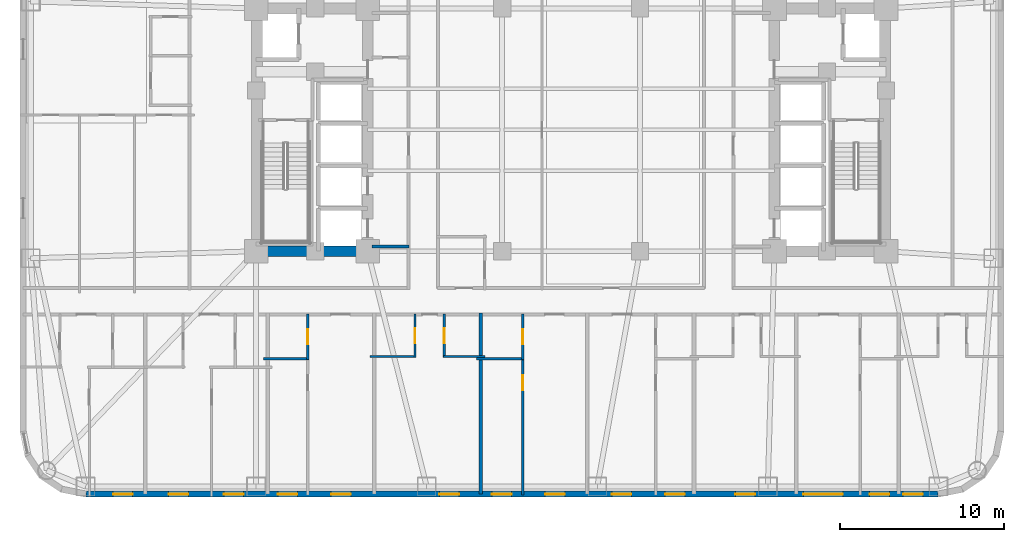
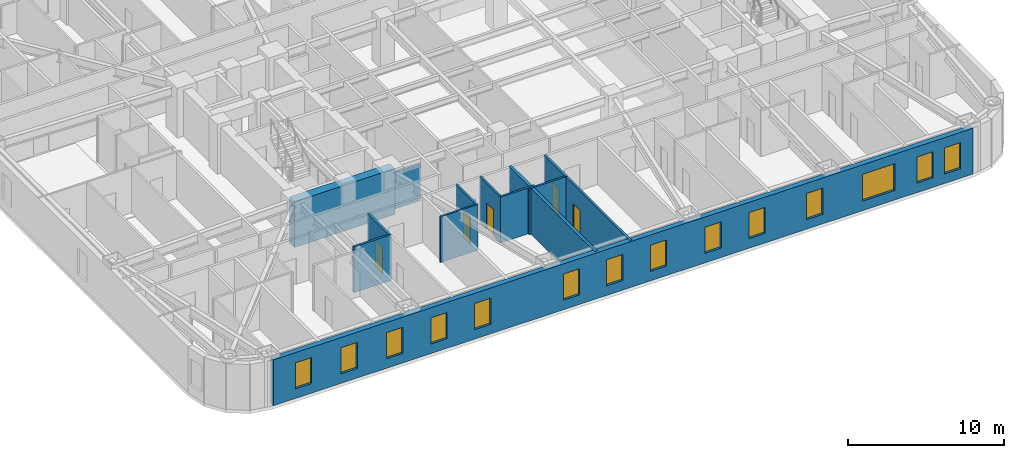
# One storey, part 3 of 11: 14 windows, 13 walls, 5 doors, 19 openings.
"""IFC4 building model written with IfcOpenShell, lengths in metres."""

import ifcopenshell
import ifcopenshell.guid

model = None  # the IFC model being written
_history = None  # IfcOwnerHistory: only IFC2X3 demands one
_inside = {}  # id of a spatial element -> (the spatial element, [elements in it])
_under = {}  # id of a project, library or spatial element -> (it, [spatial elements below it])
_declared = {}  # id of a project -> (the project, [libraries it declares])
_typed = {}  # id of a type object -> (the type object, [elements of that type])
_made_of = {}  # id of a material, layer set ... -> (it, [elements and type objects made of it])


def new_model(schema):
    """Start an empty IFC model of exactly this schema.

    Asked for "IFC4X3", IfcOpenShell would pick the latest addendum, in which some entities
    have other attributes; the version numbers below select the first issue.
    IFC2X3 requires an IfcOwnerHistory on every rooted entity: one is made here for all.
    """
    global model, _history
    if schema == "IFC4X3":
        model = ifcopenshell.file(schema_version=(4, 3, 0, 0))
    else:
        model = ifcopenshell.file(schema=schema)
    _inside.clear()
    _under.clear()
    _declared.clear()
    _typed.clear()
    _made_of.clear()
    _history = None
    if model.schema == "IFC2X3":
        org = make("IfcOrganization", Name="unknown")
        user = make(
            "IfcPersonAndOrganization",
            ThePerson=make("IfcPerson", FamilyName="unknown"),
            TheOrganization=org,
        )
        app = make(
            "IfcApplication",
            ApplicationDeveloper=org,
            Version="unknown",
            ApplicationFullName="unknown",
            ApplicationIdentifier="unknown",
        )
        _history = make(
            "IfcOwnerHistory",
            OwningUser=user,
            OwningApplication=app,
            ChangeAction="ADDED",
            CreationDate=0,
        )
    return model


def make(cls, **values):
    """One entity of the class cls with the attributes given. An attribute that is None is left unset."""
    return model.create_entity(
        cls, **{name: value for name, value in values.items() if value is not None}
    )


def rooted(cls, **values):
    """An entity with a GlobalId (a new one), such as an element, a storey or a relation."""
    return make(cls, GlobalId=ifcopenshell.guid.new(), OwnerHistory=_history, **values)


def si_unit(unit_type, name, prefix=None):
    """IfcSIUnit, for example si_unit("LENGTHUNIT", "METRE", prefix="MILLI")."""
    return make("IfcSIUnit", UnitType=unit_type, Prefix=prefix, Name=name)


def assignment(units):
    """IfcUnitAssignment: the units of a project."""
    return None if units is None else make("IfcUnitAssignment", Units=units)


def point(xyz):
    """IfcCartesianPoint."""
    return None if xyz is None else make("IfcCartesianPoint", Coordinates=xyz)


def direction(xyz):
    """IfcDirection."""
    return None if xyz is None else make("IfcDirection", DirectionRatios=xyz)


def frame(location, z_axis=None, x_axis=None):
    """IfcAxis2Placement3D, a coordinate frame: its origin and axes. An axis left out is left unset."""
    return make(
        "IfcAxis2Placement3D",
        Location=point(location),
        Axis=direction(z_axis),
        RefDirection=direction(x_axis),
    )


def frame_2d(location, x_axis=None):
    """IfcAxis2Placement2D, a coordinate frame in the plane: its origin and x axis."""
    return make(
        "IfcAxis2Placement2D", Location=point(location), RefDirection=direction(x_axis)
    )


def origin():
    """The frame at (0, 0, 0) with its axes left unset."""
    return frame((0.0, 0.0, 0.0))


def place(relative_to, where):
    """IfcLocalPlacement: puts the frame where relative to a parent placement (None: the world)."""
    return make(
        "IfcLocalPlacement", PlacementRelTo=relative_to, RelativePlacement=where
    )


def context(
    kind, dimensions, precision=None, world=None, true_north=None, identifier=None
):
    """IfcGeometricRepresentationContext, for example the 3D "Model" context."""
    return make(
        "IfcGeometricRepresentationContext",
        ContextIdentifier=identifier,
        ContextType=kind,
        CoordinateSpaceDimension=dimensions,
        Precision=precision,
        WorldCoordinateSystem=world,
        TrueNorth=true_north,
    )


def subcontext(parent, identifier, kind, view, scale=None):
    """IfcGeometricRepresentationSubContext, for example "Body" below "Model"."""
    return make(
        "IfcGeometricRepresentationSubContext",
        ContextIdentifier=identifier,
        ContextType=kind,
        ParentContext=parent,
        TargetScale=scale,
        TargetView=view,
    )


def project(units=None, contexts=None):
    """IfcProject with its units and contexts."""
    return rooted(
        "IfcProject",
        Name="project",
        RepresentationContexts=contexts,
        UnitsInContext=assignment(units),
    )


def spatial(cls, under=None, at=None, **own):
    """A site, building, storey or space (cls), placed at a placement, below another one or the project."""
    s = rooted(cls, ObjectPlacement=at, **own)
    if under is not None:
        _under.setdefault(under.id(), (under, []))[1].append(s)
    return s


def profile(cls, at=None, kind="AREA", **sizes):
    """A parametric profile (cls). Its sizes go by their IFC names, for example OverallWidth=200.0."""
    return make(cls, ProfileType=kind, Position=at, **sizes)


def rectangle(**sizes):
    """IfcRectangleProfileDef."""
    return profile("IfcRectangleProfileDef", **sizes)


def extrude(swept, where, along, depth):
    """IfcExtrudedAreaSolid: the profile swept, set in the frame where, extruded along a direction by depth."""
    return make(
        "IfcExtrudedAreaSolid",
        SweptArea=swept,
        Position=where,
        ExtrudedDirection=direction(along),
        Depth=depth,
    )


def shape(context_of_items, identifier, shape_type, items):
    """IfcShapeRepresentation: the items that make up one representation, for example the "Body"."""
    return make(
        "IfcShapeRepresentation",
        ContextOfItems=context_of_items,
        RepresentationIdentifier=identifier,
        RepresentationType=shape_type,
        Items=items,
    )


def material(Name=None, Category=None):
    """IfcMaterial."""
    return make("IfcMaterial", Name=Name, Category=Category)


def layer(
    of_material, thickness, ventilated=None, Name=None, Category=None, Priority=None
):
    """IfcMaterialLayer: one layer of a wall or slab, of a material (None: an air gap)."""
    return make(
        "IfcMaterialLayer",
        Material=of_material,
        LayerThickness=thickness,
        IsVentilated=ventilated,
        Name=Name,
        Category=Category,
        Priority=Priority,
    )


def layer_set(layers, Name=None):
    """IfcMaterialLayerSet."""
    return make("IfcMaterialLayerSet", MaterialLayers=layers, LayerSetName=Name)


def made_of(thing, what):
    """Note that an element or type object is made of a material, layer set ...; save() writes the relation."""
    if what is not None:
        _made_of.setdefault(what.id(), (what, []))[1].append(thing)
    return thing


def type_object(cls, material=None, **own):
    """A type object (cls), such as IfcWallType, which elements share."""
    return made_of(rooted(cls, **own), material)


def element(
    cls,
    number,
    at=None,
    inside=None,
    cuts=None,
    type_object=None,
    material=None,
    context=None,
    identifier="Body",
    shape_type=None,
    held_by="IfcProductDefinitionShape",
    body=None,
    shapes=None,
    **own,
):
    """One element of the class cls, such as IfcWall. Its Tag is "e" and its number.

    at: its placement. inside: the storey or other place that contains it. cuts: it is an
    opening in that element (IfcRelVoidsElement). A single representation is given by context,
    identifier, shape_type and body (its items); several are given by shapes. held_by: the class
    of the entity that holds the representations. save() writes the other relations.
    """
    e = rooted(cls, Tag="e%d" % number, ObjectPlacement=at, **own)
    if body is not None:
        shapes = [shape(context, identifier, shape_type, body)]
    if shapes is not None:
        e.Representation = make(held_by, Representations=shapes)
    if inside is not None:
        _inside.setdefault(inside.id(), (inside, []))[1].append(e)
    if cuts is not None:
        rooted(
            "IfcRelVoidsElement", RelatingBuildingElement=cuts, RelatedOpeningElement=e
        )
    if type_object is not None:
        _typed.setdefault(type_object.id(), (type_object, []))[1].append(e)
    return made_of(e, material)


def fill(opening, filler):
    """IfcRelFillsElement: the door or window that sits in an opening."""
    return rooted(
        "IfcRelFillsElement",
        RelatingOpeningElement=opening,
        RelatedBuildingElement=filler,
    )


def aggregate(whole, parts):
    """IfcRelAggregates: a whole, such as a stair, and the parts it consists of."""
    return rooted("IfcRelAggregates", RelatingObject=whole, RelatedObjects=parts)


def save(model, path):
    """Write the relations noted so far, then the file.

    IfcRelAggregates (storeys below a building ...), IfcRelContainedInSpatialStructure (elements
    in a storey), IfcRelDefinesByType, IfcRelAssociatesMaterial and IfcRelDeclares: one each for
    every whole, place, type object, material and project.
    """
    for whole, parts in _under.values():
        aggregate(whole, parts)
    for where, things in _inside.values():
        rooted(
            "IfcRelContainedInSpatialStructure",
            RelatedElements=things,
            RelatingStructure=where,
        )
    for kind, things in _typed.values():
        rooted("IfcRelDefinesByType", RelatedObjects=things, RelatingType=kind)
    for what, things in _made_of.values():
        rooted("IfcRelAssociatesMaterial", RelatedObjects=things, RelatingMaterial=what)
    for by, libraries in _declared.values():
        rooted("IfcRelDeclares", RelatingContext=by, RelatedDefinitions=libraries)
    model.write(path)


model = new_model("IFC4")

# Units and contexts
model_context = context("Model", 3, precision=1e-05, world=origin(), true_north=direction((0.0, 1.0)))
body_context = subcontext(model_context, "Body", "Model", "MODEL_VIEW")
ifc_project = project(units=[si_unit("LENGTHUNIT", "METRE"), si_unit("AREAUNIT", "SQUARE_METRE"), si_unit("VOLUMEUNIT", "CUBIC_METRE"), si_unit("PLANEANGLEUNIT", "RADIAN"), si_unit("MASSUNIT", "GRAM", prefix="KILO")], contexts=[model_context])

# Site, building, storey
site_placement = place(None, origin())
site = spatial("IfcSite", under=ifc_project, at=site_placement, CompositionType="ELEMENT")
building_placement = place(site_placement, origin())
building = spatial("IfcBuilding", under=site, at=building_placement, Name="Voryun Gate Residences", CompositionType="ELEMENT")
storey_placement = place(building_placement, frame((0.0, 0.0, 76.699951171875)))
storey = spatial("IfcBuildingStorey", under=building, at=storey_placement, Name="L18", CompositionType="ELEMENT", Elevation=76.699951171875)

# Walls
ifc_material_1 = material(Name="Concrete C60/75", Category="concrete")
ifc_layer_1 = layer(ifc_material_1, 0.64990234375, Name="CW_CORE_650")
ifc_layer_set_1 = layer_set([ifc_layer_1], Name="Concrete C60/75")
wall_type_1 = type_object("IfcWallType", Name="CW_CORE_650", PredefinedType="SHEAR", material=ifc_layer_set_1)
wall_1_placement = place(storey_placement, frame((-19.52490234375, -7.39990234375, 0.0), z_axis=(0.0, 0.0, 1.0), x_axis=(1.0, 0.0, 0.0)))
element("IfcWall", 1, at=wall_1_placement, inside=storey, type_object=wall_type_1, Name="L18 Core shear wall CW-L18-WS", PredefinedType="SHEAR", context=body_context, shape_type="SweptSolid", body=[
    extrude(rectangle(XDim=7.449951171875, YDim=0.64990234375, at=frame_2d((3.72509765625, 0.0))), origin(), (0.0, 0.0, 1.0), 3.60009765625),
])
ifc_material_2 = material(Name="Gypsum acoustic fireboard")
ifc_layer_2 = layer(ifc_material_2, 0.179931640625, Name="W_CORR_RATED_180")
ifc_layer_set_2 = layer_set([ifc_layer_2], Name="Gypsum acoustic fireboard")
wall_type_2 = type_object("IfcWallType", Name="W_CORR_RATED_180", PredefinedType="PARTITIONING", material=ifc_layer_set_2)
wall_2_placement = place(storey_placement, frame((-12.14990234375, -7.1201171875, 0.0), z_axis=(0.0, 0.0, 1.0), x_axis=(1.0, 0.0, 0.0)))
element("IfcWall", 2, at=wall_2_placement, inside=storey, type_object=wall_type_2, Name="Partition wall WP-L18-PLBS-W", PredefinedType="PARTITIONING", context=body_context, shape_type="SweptSolid", body=[
    extrude(rectangle(XDim=2.27001953125, YDim=0.179931640625, at=frame_2d((1.135009765625, 0.0))), origin(), (0.0, 0.0, 1.0), 2.89013671875),
])

# Wall, openings, windows
ifc_material_3 = material(Name="Granite masonry", Category="masonry")
ifc_layer_3 = layer(ifc_material_3, 0.3798828125, Name="W_EXT_GRANITE_380")
ifc_layer_set_3 = layer_set([ifc_layer_3], Name="Granite masonry")
wall_type_3 = type_object("IfcWallType", Name="W_EXT_GRANITE_380", PredefinedType="ELEMENTEDWALL", material=ifc_layer_set_3)
wall_3_placement = place(storey_placement, frame((22.38134765625, -22.2099609375, 0.0), z_axis=(0.0, 0.0, 1.0), x_axis=(-1.0, 0.0, 0.0)))
wall_3 = element("IfcWall", 3, at=wall_3_placement, inside=storey, type_object=wall_type_3, Name="Exterior wall WEXT-L18-01", PredefinedType="ELEMENTEDWALL", context=body_context, shape_type="SweptSolid", body=[
    extrude(rectangle(XDim=51.962646484375, YDim=0.3798828125, at=frame_2d((25.9814453125, 0.0))), origin(), (0.0, 0.0, 1.0), 3.60009765625),
])
opening_1_placement = place(wall_3_placement, frame((5.810302734375, 0.0, 0.75)))
opening_1 = element("IfcOpeningElement", 4, at=opening_1_placement, cuts=wall_3, Name="Opening WN2", PredefinedType="OPENING", context=body_context, shape_type="SweptSolid", body=[
    extrude(rectangle(XDim=2.39990234375, YDim=2.10009765625, at=frame_2d((1.199951171875, 1.050048828125))), frame((0.0, 0.199951171875, 0.0), z_axis=(0.0, -1.0, 0.0), x_axis=(1.0, 0.0, 0.0)), (0.0, 0.0, 1.0), 0.39990234375),
])
opening_2_placement = place(wall_3_placement, frame((49.1064453125, 0.0, 0.75)))
opening_2 = element("IfcOpeningElement", 5, at=opening_2_placement, cuts=wall_3, Name="Opening WN6", PredefinedType="OPENING", context=body_context, shape_type="SweptSolid", body=[
    extrude(rectangle(XDim=1.199951171875, YDim=2.050048828125, at=frame_2d((0.60009765625, 1.02490234375))), frame((0.0, 0.199951171875, 0.0), z_axis=(0.0, -1.0, 0.0), x_axis=(1.0, 0.0, 0.0)), (0.0, 0.0, 1.0), 0.39990234375),
])
opening_3_placement = place(wall_3_placement, frame((45.7158203125, 0.0, 0.75)))
opening_3 = element("IfcOpeningElement", 6, at=opening_3_placement, cuts=wall_3, Name="Opening WN6", PredefinedType="OPENING", context=body_context, shape_type="SweptSolid", body=[
    extrude(rectangle(XDim=1.199951171875, YDim=2.050048828125, at=frame_2d((0.60009765625, 1.02490234375))), frame((0.0, 0.199951171875, 0.0), z_axis=(0.0, -1.0, 0.0), x_axis=(1.0, 0.0, 0.0)), (0.0, 0.0, 1.0), 0.39990234375),
])
opening_4_placement = place(wall_3_placement, frame((42.34619140625, 0.0, 0.75)))
opening_4 = element("IfcOpeningElement", 7, at=opening_4_placement, cuts=wall_3, Name="Opening WN6", PredefinedType="OPENING", context=body_context, shape_type="SweptSolid", body=[
    extrude(rectangle(XDim=1.199951171875, YDim=2.050048828125, at=frame_2d((0.60009765625, 1.02490234375))), frame((0.0, 0.199951171875, 0.0), z_axis=(0.0, -1.0, 0.0), x_axis=(1.0, 0.0, 0.0)), (0.0, 0.0, 1.0), 0.39990234375),
])
opening_5_placement = place(wall_3_placement, frame((35.811279296875, 0.0, 0.75)))
opening_5 = element("IfcOpeningElement", 8, at=opening_5_placement, cuts=wall_3, Name="Opening WN6", PredefinedType="OPENING", context=body_context, shape_type="SweptSolid", body=[
    extrude(rectangle(XDim=1.199951171875, YDim=2.050048828125, at=frame_2d((0.60009765625, 1.02490234375))), frame((0.0, 0.199951171875, 0.0), z_axis=(0.0, -1.0, 0.0), x_axis=(1.0, 0.0, 0.0)), (0.0, 0.0, 1.0), 0.39990234375),
])
opening_6_placement = place(wall_3_placement, frame((39.061279296875, 0.0, 0.75)))
opening_6 = element("IfcOpeningElement", 9, at=opening_6_placement, cuts=wall_3, Name="Opening WN6", PredefinedType="OPENING", context=body_context, shape_type="SweptSolid", body=[
    extrude(rectangle(XDim=1.199951171875, YDim=2.050048828125, at=frame_2d((0.60009765625, 1.02490234375))), frame((0.0, 0.199951171875, 0.0), z_axis=(0.0, -1.0, 0.0), x_axis=(1.0, 0.0, 0.0)), (0.0, 0.0, 1.0), 0.39990234375),
])
opening_7_placement = place(wall_3_placement, frame((29.211181640625, 0.0, 0.75)))
opening_7 = element("IfcOpeningElement", 10, at=opening_7_placement, cuts=wall_3, Name="Opening WN6", PredefinedType="OPENING", context=body_context, shape_type="SweptSolid", body=[
    extrude(rectangle(XDim=1.199951171875, YDim=2.050048828125, at=frame_2d((0.60009765625, 1.02490234375))), frame((0.0, 0.199951171875, 0.0), z_axis=(0.0, -1.0, 0.0), x_axis=(1.0, 0.0, 0.0)), (0.0, 0.0, 1.0), 0.39990234375),
])
opening_8_placement = place(wall_3_placement, frame((22.75732421875, 0.0, 0.75)))
opening_8 = element("IfcOpeningElement", 11, at=opening_8_placement, cuts=wall_3, Name="Opening WN6", PredefinedType="OPENING", context=body_context, shape_type="SweptSolid", body=[
    extrude(rectangle(XDim=1.199951171875, YDim=2.050048828125, at=frame_2d((0.60009765625, 1.02490234375))), frame((0.0, 0.199951171875, 0.0), z_axis=(0.0, -1.0, 0.0), x_axis=(1.0, 0.0, 0.0)), (0.0, 0.0, 1.0), 0.39990234375),
])
opening_9_placement = place(wall_3_placement, frame((26.00732421875, 0.0, 0.75)))
opening_9 = element("IfcOpeningElement", 12, at=opening_9_placement, cuts=wall_3, Name="Opening WN6", PredefinedType="OPENING", context=body_context, shape_type="SweptSolid", body=[
    extrude(rectangle(XDim=1.199951171875, YDim=2.050048828125, at=frame_2d((0.60009765625, 1.02490234375))), frame((0.0, 0.199951171875, 0.0), z_axis=(0.0, -1.0, 0.0), x_axis=(1.0, 0.0, 0.0)), (0.0, 0.0, 1.0), 0.39990234375),
])
opening_10_placement = place(wall_3_placement, frame((18.69677734375, 0.0, 0.75)))
opening_10 = element("IfcOpeningElement", 13, at=opening_10_placement, cuts=wall_3, Name="Opening WN6", PredefinedType="OPENING", context=body_context, shape_type="SweptSolid", body=[
    extrude(rectangle(XDim=1.199951171875, YDim=2.050048828125, at=frame_2d((0.60009765625, 1.02490234375))), frame((0.0, 0.199951171875, 0.0), z_axis=(0.0, -1.0, 0.0), x_axis=(1.0, 0.0, 0.0)), (0.0, 0.0, 1.0), 0.39990234375),
])
opening_11_placement = place(wall_3_placement, frame((15.44677734375, 0.0, 0.75)))
opening_11 = element("IfcOpeningElement", 14, at=opening_11_placement, cuts=wall_3, Name="Opening WN6", PredefinedType="OPENING", context=body_context, shape_type="SweptSolid", body=[
    extrude(rectangle(XDim=1.199951171875, YDim=2.050048828125, at=frame_2d((0.60009765625, 1.02490234375))), frame((0.0, 0.199951171875, 0.0), z_axis=(0.0, -1.0, 0.0), x_axis=(1.0, 0.0, 0.0)), (0.0, 0.0, 1.0), 0.39990234375),
])
opening_12_placement = place(wall_3_placement, frame((11.161865234375, 0.0, 0.75)))
opening_12 = element("IfcOpeningElement", 15, at=opening_12_placement, cuts=wall_3, Name="Opening WN6", PredefinedType="OPENING", context=body_context, shape_type="SweptSolid", body=[
    extrude(rectangle(XDim=1.199951171875, YDim=2.050048828125, at=frame_2d((0.60009765625, 1.02490234375))), frame((0.0, 0.199951171875, 0.0), z_axis=(0.0, -1.0, 0.0), x_axis=(1.0, 0.0, 0.0)), (0.0, 0.0, 1.0), 0.39990234375),
])
opening_13_placement = place(wall_3_placement, frame((2.974365234375, 0.0, 0.75)))
opening_13 = element("IfcOpeningElement", 16, at=opening_13_placement, cuts=wall_3, Name="Opening WN6", PredefinedType="OPENING", context=body_context, shape_type="SweptSolid", body=[
    extrude(rectangle(XDim=1.199951171875, YDim=2.050048828125, at=frame_2d((0.60009765625, 1.02490234375))), frame((0.0, 0.199951171875, 0.0), z_axis=(0.0, -1.0, 0.0), x_axis=(1.0, 0.0, 0.0)), (0.0, 0.0, 1.0), 0.39990234375),
])
opening_14_placement = place(wall_3_placement, frame((0.926513671875, 0.0, 0.75)))
opening_14 = element("IfcOpeningElement", 17, at=opening_14_placement, cuts=wall_3, Name="Opening WN6", PredefinedType="OPENING", context=body_context, shape_type="SweptSolid", body=[
    extrude(rectangle(XDim=1.199951171875, YDim=2.050048828125, at=frame_2d((0.60009765625, 1.02490234375))), frame((0.0, 0.199951171875, 0.0), z_axis=(0.0, -1.0, 0.0), x_axis=(1.0, 0.0, 0.0)), (0.0, 0.0, 1.0), 0.39990234375),
])
ifc_material_4 = material(Name="Laminated low-E glass", Category="glass")
window_type_1 = type_object("IfcWindowType", Name="WN_POD_SLOT_1200", PartitioningType="SINGLE_PANEL", PredefinedType="WINDOW", material=ifc_material_4)
window_1_placement = place(opening_2_placement, origin())
window_1 = element("IfcWindow", 18, at=window_1_placement, inside=storey, type_object=window_type_1, Name="Window WN-L18-DWFIX-17", OverallHeight=2.050048828125, OverallWidth=1.199951171875, PartitioningType="SINGLE_PANEL", PredefinedType="WINDOW", context=body_context, shape_type="SweptSolid", body=[
    extrude(rectangle(XDim=1.199951171875, YDim=2.050048828125, at=frame_2d((0.60009765625, 1.02490234375))), frame((0.0, 0.030029296875, 0.0), z_axis=(0.0, -1.0, 0.0), x_axis=(1.0, 0.0, 0.0)), (0.0, 0.0, 1.0), 0.06005859375),
])
fill(opening_2, window_1)
window_2_placement = place(opening_3_placement, origin())
window_2 = element("IfcWindow", 19, at=window_2_placement, inside=storey, type_object=window_type_1, Name="Window WN-L18-DWFIX-18", OverallHeight=2.050048828125, OverallWidth=1.199951171875, PartitioningType="SINGLE_PANEL", PredefinedType="WINDOW", context=body_context, shape_type="SweptSolid", body=[
    extrude(rectangle(XDim=1.199951171875, YDim=2.050048828125, at=frame_2d((0.60009765625, 1.02490234375))), frame((0.0, 0.030029296875, 0.0), z_axis=(0.0, -1.0, 0.0), x_axis=(1.0, 0.0, 0.0)), (0.0, 0.0, 1.0), 0.06005859375),
])
fill(opening_3, window_2)
window_3_placement = place(opening_4_placement, origin())
window_3 = element("IfcWindow", 20, at=window_3_placement, inside=storey, type_object=window_type_1, Name="Window WN-L18-DWFIX-19", OverallHeight=2.050048828125, OverallWidth=1.199951171875, PartitioningType="SINGLE_PANEL", PredefinedType="WINDOW", context=body_context, shape_type="SweptSolid", body=[
    extrude(rectangle(XDim=1.199951171875, YDim=2.050048828125, at=frame_2d((0.60009765625, 1.02490234375))), frame((0.0, 0.030029296875, 0.0), z_axis=(0.0, -1.0, 0.0), x_axis=(1.0, 0.0, 0.0)), (0.0, 0.0, 1.0), 0.06005859375),
])
fill(opening_4, window_3)
window_4_placement = place(opening_5_placement, origin())
window_4 = element("IfcWindow", 21, at=window_4_placement, inside=storey, type_object=window_type_1, Name="Window WN-L18-DWFIX-20", OverallHeight=2.050048828125, OverallWidth=1.199951171875, PartitioningType="SINGLE_PANEL", PredefinedType="WINDOW", context=body_context, shape_type="SweptSolid", body=[
    extrude(rectangle(XDim=1.199951171875, YDim=2.050048828125, at=frame_2d((0.60009765625, 1.02490234375))), frame((0.0, 0.030029296875, 0.0), z_axis=(0.0, -1.0, 0.0), x_axis=(1.0, 0.0, 0.0)), (0.0, 0.0, 1.0), 0.06005859375),
])
fill(opening_5, window_4)
window_5_placement = place(opening_6_placement, origin())
window_5 = element("IfcWindow", 22, at=window_5_placement, inside=storey, type_object=window_type_1, Name="Window WN-L18-DWFIX-21", OverallHeight=2.050048828125, OverallWidth=1.199951171875, PartitioningType="SINGLE_PANEL", PredefinedType="WINDOW", context=body_context, shape_type="SweptSolid", body=[
    extrude(rectangle(XDim=1.199951171875, YDim=2.050048828125, at=frame_2d((0.60009765625, 1.02490234375))), frame((0.0, 0.030029296875, 0.0), z_axis=(0.0, -1.0, 0.0), x_axis=(1.0, 0.0, 0.0)), (0.0, 0.0, 1.0), 0.06005859375),
])
fill(opening_6, window_5)
window_6_placement = place(opening_7_placement, origin())
window_6 = element("IfcWindow", 23, at=window_6_placement, inside=storey, type_object=window_type_1, Name="Window WN-L18-DWFIX-22", OverallHeight=2.050048828125, OverallWidth=1.199951171875, PartitioningType="SINGLE_PANEL", PredefinedType="WINDOW", context=body_context, shape_type="SweptSolid", body=[
    extrude(rectangle(XDim=1.199951171875, YDim=2.050048828125, at=frame_2d((0.60009765625, 1.02490234375))), frame((0.0, 0.030029296875, 0.0), z_axis=(0.0, -1.0, 0.0), x_axis=(1.0, 0.0, 0.0)), (0.0, 0.0, 1.0), 0.06005859375),
])
fill(opening_7, window_6)
window_7_placement = place(opening_8_placement, origin())
window_7 = element("IfcWindow", 24, at=window_7_placement, inside=storey, type_object=window_type_1, Name="Window WN-L18-DWFIX-23", OverallHeight=2.050048828125, OverallWidth=1.199951171875, PartitioningType="SINGLE_PANEL", PredefinedType="WINDOW", context=body_context, shape_type="SweptSolid", body=[
    extrude(rectangle(XDim=1.199951171875, YDim=2.050048828125, at=frame_2d((0.60009765625, 1.02490234375))), frame((0.0, 0.030029296875, 0.0), z_axis=(0.0, -1.0, 0.0), x_axis=(1.0, 0.0, 0.0)), (0.0, 0.0, 1.0), 0.06005859375),
])
fill(opening_8, window_7)
window_8_placement = place(opening_9_placement, origin())
window_8 = element("IfcWindow", 25, at=window_8_placement, inside=storey, type_object=window_type_1, Name="Window WN-L18-DWFIX-24", OverallHeight=2.050048828125, OverallWidth=1.199951171875, PartitioningType="SINGLE_PANEL", PredefinedType="WINDOW", context=body_context, shape_type="SweptSolid", body=[
    extrude(rectangle(XDim=1.199951171875, YDim=2.050048828125, at=frame_2d((0.60009765625, 1.02490234375))), frame((0.0, 0.030029296875, 0.0), z_axis=(0.0, -1.0, 0.0), x_axis=(1.0, 0.0, 0.0)), (0.0, 0.0, 1.0), 0.06005859375),
])
fill(opening_9, window_8)
window_9_placement = place(opening_10_placement, origin())
window_9 = element("IfcWindow", 26, at=window_9_placement, inside=storey, type_object=window_type_1, Name="Window WN-L18-DWFIX-25", OverallHeight=2.050048828125, OverallWidth=1.199951171875, PartitioningType="SINGLE_PANEL", PredefinedType="WINDOW", context=body_context, shape_type="SweptSolid", body=[
    extrude(rectangle(XDim=1.199951171875, YDim=2.050048828125, at=frame_2d((0.60009765625, 1.02490234375))), frame((0.0, 0.030029296875, 0.0), z_axis=(0.0, -1.0, 0.0), x_axis=(1.0, 0.0, 0.0)), (0.0, 0.0, 1.0), 0.06005859375),
])
fill(opening_10, window_9)
window_10_placement = place(opening_11_placement, origin())
window_10 = element("IfcWindow", 27, at=window_10_placement, inside=storey, type_object=window_type_1, Name="Window WN-L18-DWFIX-26", OverallHeight=2.050048828125, OverallWidth=1.199951171875, PartitioningType="SINGLE_PANEL", PredefinedType="WINDOW", context=body_context, shape_type="SweptSolid", body=[
    extrude(rectangle(XDim=1.199951171875, YDim=2.050048828125, at=frame_2d((0.60009765625, 1.02490234375))), frame((0.0, 0.030029296875, 0.0), z_axis=(0.0, -1.0, 0.0), x_axis=(1.0, 0.0, 0.0)), (0.0, 0.0, 1.0), 0.06005859375),
])
fill(opening_11, window_10)
window_11_placement = place(opening_12_placement, origin())
window_11 = element("IfcWindow", 28, at=window_11_placement, inside=storey, type_object=window_type_1, Name="Window WN-L18-DWFIX-27", OverallHeight=2.050048828125, OverallWidth=1.199951171875, PartitioningType="SINGLE_PANEL", PredefinedType="WINDOW", context=body_context, shape_type="SweptSolid", body=[
    extrude(rectangle(XDim=1.199951171875, YDim=2.050048828125, at=frame_2d((0.60009765625, 1.02490234375))), frame((0.0, 0.030029296875, 0.0), z_axis=(0.0, -1.0, 0.0), x_axis=(1.0, 0.0, 0.0)), (0.0, 0.0, 1.0), 0.06005859375),
])
fill(opening_12, window_11)
window_12_placement = place(opening_13_placement, origin())
window_12 = element("IfcWindow", 29, at=window_12_placement, inside=storey, type_object=window_type_1, Name="Window WN-L18-DWFIX-28", OverallHeight=2.050048828125, OverallWidth=1.199951171875, PartitioningType="SINGLE_PANEL", PredefinedType="WINDOW", context=body_context, shape_type="SweptSolid", body=[
    extrude(rectangle(XDim=1.199951171875, YDim=2.050048828125, at=frame_2d((0.60009765625, 1.02490234375))), frame((0.0, 0.030029296875, 0.0), z_axis=(0.0, -1.0, 0.0), x_axis=(1.0, 0.0, 0.0)), (0.0, 0.0, 1.0), 0.06005859375),
])
fill(opening_13, window_12)
window_13_placement = place(opening_14_placement, origin())
window_13 = element("IfcWindow", 30, at=window_13_placement, inside=storey, type_object=window_type_1, Name="Window WN-L18-DWFIX-29", OverallHeight=2.050048828125, OverallWidth=1.199951171875, PartitioningType="SINGLE_PANEL", PredefinedType="WINDOW", context=body_context, shape_type="SweptSolid", body=[
    extrude(rectangle(XDim=1.199951171875, YDim=2.050048828125, at=frame_2d((0.60009765625, 1.02490234375))), frame((0.0, 0.030029296875, 0.0), z_axis=(0.0, -1.0, 0.0), x_axis=(1.0, 0.0, 0.0)), (0.0, 0.0, 1.0), 0.06005859375),
])
fill(opening_14, window_13)
ifc_material_5 = material(Name="Laminated low-E glass", Category="glass")
window_type_2 = type_object("IfcWindowType", Name="WN_RES_WIDE_2400", PartitioningType="SINGLE_PANEL", PredefinedType="WINDOW", material=ifc_material_5)
window_14_placement = place(opening_1_placement, origin())
window_14 = element("IfcWindow", 31, at=window_14_placement, inside=storey, type_object=window_type_2, Name="Window WN-WEXT-L18-01-01", OverallHeight=2.10009765625, OverallWidth=2.39990234375, PartitioningType="SINGLE_PANEL", PredefinedType="WINDOW", context=body_context, shape_type="SweptSolid", body=[
    extrude(rectangle(XDim=2.39990234375, YDim=2.10009765625, at=frame_2d((1.199951171875, 1.050048828125))), frame((0.0, 0.030029296875, 0.0), z_axis=(0.0, -1.0, 0.0), x_axis=(1.0, 0.0, 0.0)), (0.0, 0.0, 1.0), 0.06005859375),
])
fill(opening_1, window_14)

# Wall
ifc_material_6 = material(Name="Concrete C40/50", Category="concrete")
ifc_layer_4 = layer(ifc_material_6, 0.219970703125, Name="W_PARTY_ACOUSTIC_220")
ifc_layer_set_4 = layer_set([ifc_layer_4], Name="Concrete C40/50")
wall_type_4 = type_object("IfcWallType", Name="W_PARTY_ACOUSTIC_220", PredefinedType="PARTITIONING", material=ifc_layer_set_4)
wall_4_placement = place(storey_placement, frame((-5.5, -22.2099609375, 0.0), z_axis=(0.0, 0.0, 1.0), x_axis=(0.0, 1.0, 0.0)))
element("IfcWall", 32, at=wall_4_placement, inside=storey, type_object=wall_type_4, Name="Partition wall WP-L18-SPTY-4", PredefinedType="PARTITIONING", context=body_context, shape_type="SweptSolid", body=[
    extrude(rectangle(XDim=11.0400390625, YDim=0.219970703125, at=frame_2d((5.52001953125, 0.0))), origin(), (0.0, 0.0, 1.0), 3.60009765625),
])

# Wall, opening, door
ifc_material_7 = material(Name="Gypsum acoustic partition")
ifc_layer_5 = layer(ifc_material_7, 0.125, Name="W_UNIT_PART_125")
ifc_layer_set_5 = layer_set([ifc_layer_5], Name="Gypsum acoustic partition")
wall_type_5 = type_object("IfcWallType", Name="W_UNIT_PART_125", PredefinedType="PARTITIONING", material=ifc_layer_set_5)
wall_5_placement = place(storey_placement, frame((-9.51611328125, -13.8798828125, 0.0), z_axis=(0.0, 0.0, 1.0), x_axis=(0.0, 1.0, 0.0)))
wall_5 = element("IfcWall", 33, at=wall_5_placement, inside=storey, type_object=wall_type_5, Name="Partition wall WP-L18-S4-CVK", PredefinedType="PARTITIONING", context=body_context, shape_type="SweptSolid", body=[
    extrude(rectangle(XDim=2.64990234375, YDim=0.125, at=frame_2d((1.324951171875, 0.0))), origin(), (0.0, 0.0, 1.0), 3.60009765625),
])
opening_15_placement = place(wall_5_placement, frame((0.875, 0.0, 0.0)))
opening_15 = element("IfcOpeningElement", 34, at=opening_15_placement, cuts=wall_5, Name="Opening D-INT-2", PredefinedType="OPENING", context=body_context, shape_type="SweptSolid", body=[
    extrude(rectangle(XDim=0.89990234375, YDim=2.050048828125, at=frame_2d((0.449951171875, 1.02490234375))), frame((0.0, 0.072509765625, 0.0), z_axis=(0.0, -1.0, 0.0), x_axis=(1.0, 0.0, 0.0)), (0.0, 0.0, 1.0), 0.14501953125),
])
ifc_material_8 = material(Name="Architectural oak veneer")
door_type = type_object("IfcDoorType", Name="DR_INT_BATH_900", OperationType="NOTDEFINED", PredefinedType="DOOR", material=ifc_material_8)
door_1_placement = place(opening_15_placement, origin())
door_1 = element("IfcDoor", 35, at=door_1_placement, inside=storey, type_object=door_type, Name="Door DR-L18-S4-DK", OperationType="SINGLE_SWING_LEFT", OverallHeight=2.050048828125, OverallWidth=0.89990234375, PredefinedType="DOOR", context=body_context, shape_type="SweptSolid", body=[
    extrude(rectangle(XDim=0.89990234375, YDim=2.050048828125, at=frame_2d((0.449951171875, 1.02490234375))), frame((0.0, 0.02490234375, 0.0), z_axis=(0.0, -1.0, 0.0), x_axis=(1.0, 0.0, 0.0)), (0.0, 0.0, 1.0), 0.050048828125),
])
fill(opening_15, door_1)

# Walls
wall_6_placement = place(storey_placement, frame((-12.260009765625, -13.820068359375, 0.0), z_axis=(0.0, 0.0, 1.0), x_axis=(1.0, 0.0, 0.0)))
element("IfcWall", 36, at=wall_6_placement, inside=storey, type_object=wall_type_5, Name="Partition wall WP-L18-S4-CHK", PredefinedType="PARTITIONING", context=body_context, shape_type="SweptSolid", body=[
    extrude(rectangle(XDim=2.803955078125, YDim=0.125, at=frame_2d((1.40185546875, 0.0))), origin(), (0.0, 0.0, 1.0), 3.60009765625),
])
ifc_material_9 = material(Name="Gypsum moisture-resistant partition")
ifc_layer_6 = layer(ifc_material_9, 0.14990234375, Name="W_WET_PLUMB_150")
ifc_layer_set_6 = layer_set([ifc_layer_6], Name="Gypsum moisture-resistant partition")
wall_type_6 = type_object("IfcWallType", Name="W_WET_PLUMB_150", PredefinedType="PLUMBINGWALL", material=ifc_layer_set_6)
wall_7_placement = place(storey_placement, frame((-18.760009765625, -13.949951171875, 0.0), z_axis=(0.0, 0.0, 1.0), x_axis=(1.0, 0.0, 0.0)))
element("IfcWall", 37, at=wall_7_placement, inside=storey, type_object=wall_type_6, Name="Partition wall WP-L18-S3-SKB", PredefinedType="PLUMBINGWALL", context=body_context, shape_type="SweptSolid", body=[
    extrude(rectangle(XDim=2.780029296875, YDim=0.14990234375, at=frame_2d((1.39013671875, 0.0))), origin(), (0.0, 0.0, 1.0), 3.60009765625),
])

# Wall, opening, door
wall_8_placement = place(storey_placement, frame((-16.06005859375, -13.989990234375, 0.0), z_axis=(0.0, 0.0, 1.0), x_axis=(0.0, 1.0, 0.0)))
wall_8 = element("IfcWall", 38, at=wall_8_placement, inside=storey, type_object=wall_type_6, Name="Partition wall WP-L18-S3-SVT2", PredefinedType="PLUMBINGWALL", context=body_context, shape_type="SweptSolid", body=[
    extrude(rectangle(XDim=2.760009765625, YDim=0.14990234375, at=frame_2d((1.3798828125, 0.0))), origin(), (0.0, 0.0, 1.0), 3.60009765625),
])
opening_16_placement = place(wall_8_placement, frame((0.929931640625, 0.0, 0.0)))
opening_16 = element("IfcOpeningElement", 39, at=opening_16_placement, cuts=wall_8, Name="Opening D-INT-2", PredefinedType="OPENING", context=body_context, shape_type="SweptSolid", body=[
    extrude(rectangle(XDim=0.89990234375, YDim=2.050048828125, at=frame_2d((0.449951171875, 1.02490234375))), frame((0.0, 0.0849609375, 0.0), z_axis=(0.0, -1.0, 0.0), x_axis=(1.0, 0.0, 0.0)), (0.0, 0.0, 1.0), 0.169921875),
])
door_2_placement = place(opening_16_placement, origin())
door_2 = element("IfcDoor", 40, at=door_2_placement, inside=storey, type_object=door_type, Name="Door DR-L18-S3-DB", OperationType="SINGLE_SWING_RIGHT", OverallHeight=2.050048828125, OverallWidth=0.89990234375, PredefinedType="DOOR", context=body_context, shape_type="SweptSolid", body=[
    extrude(rectangle(XDim=0.89990234375, YDim=2.050048828125, at=frame_2d((0.449951171875, 1.02490234375))), frame((0.0, 0.02490234375, 0.0), z_axis=(0.0, -1.0, 0.0), x_axis=(1.0, 0.0, 0.0)), (0.0, 0.0, 1.0), 0.050048828125),
])
fill(opening_16, door_2)

wall_9_placement = place(storey_placement, frame((-7.72900390625, -13.8798828125, 0.0), z_axis=(0.0, 0.0, 1.0), x_axis=(0.0, 1.0, 0.0)))
wall_9 = element("IfcWall", 41, at=wall_9_placement, inside=storey, type_object=wall_type_6, Name="Partition wall WP-L18-S4-CVB", PredefinedType="PLUMBINGWALL", context=body_context, shape_type="SweptSolid", body=[
    extrude(rectangle(XDim=2.64990234375, YDim=0.14990234375, at=frame_2d((1.324951171875, 0.0))), origin(), (0.0, 0.0, 1.0), 3.60009765625),
])
opening_17_placement = place(wall_9_placement, frame((0.875, 0.0, 0.0)))
opening_17 = element("IfcOpeningElement", 42, at=opening_17_placement, cuts=wall_9, Name="Opening D-INT-2", PredefinedType="OPENING", context=body_context, shape_type="SweptSolid", body=[
    extrude(rectangle(XDim=0.89990234375, YDim=2.050048828125, at=frame_2d((0.449951171875, 1.02490234375))), frame((0.0, 0.0849609375, 0.0), z_axis=(0.0, -1.0, 0.0), x_axis=(1.0, 0.0, 0.0)), (0.0, 0.0, 1.0), 0.169921875),
])
door_3_placement = place(opening_17_placement, origin())
door_3 = element("IfcDoor", 43, at=door_3_placement, inside=storey, type_object=door_type, Name="Door DR-L18-S4-DB", OperationType="SINGLE_SWING_RIGHT", OverallHeight=2.050048828125, OverallWidth=0.89990234375, PredefinedType="DOOR", context=body_context, shape_type="SweptSolid", body=[
    extrude(rectangle(XDim=0.89990234375, YDim=2.050048828125, at=frame_2d((0.449951171875, 1.02490234375))), frame((0.0, 0.02490234375, 0.0), z_axis=(0.0, -1.0, 0.0), x_axis=(1.0, 0.0, 0.0)), (0.0, 0.0, 1.0), 0.050048828125),
])
fill(opening_17, door_3)

# Walls
wall_10_placement = place(storey_placement, frame((-7.7890625, -13.820068359375, 0.0), z_axis=(0.0, 0.0, 1.0), x_axis=(1.0, 0.0, 0.0)))
element("IfcWall", 44, at=wall_10_placement, inside=storey, type_object=wall_type_6, Name="Partition wall WP-L18-S4-CHB", PredefinedType="PLUMBINGWALL", context=body_context, shape_type="SweptSolid", body=[
    extrude(rectangle(XDim=2.549072265625, YDim=0.14990234375, at=frame_2d((1.2744140625, 0.0))), origin(), (0.0, 0.0, 1.0), 3.60009765625),
])
wall_11_placement = place(storey_placement, frame((-5.760009765625, -13.949951171875, 0.0), z_axis=(0.0, 0.0, 1.0), x_axis=(1.0, 0.0, 0.0)))
element("IfcWall", 45, at=wall_11_placement, inside=storey, type_object=wall_type_6, Name="Partition wall WP-L18-S5-SKB", PredefinedType="PLUMBINGWALL", context=body_context, shape_type="SweptSolid", body=[
    extrude(rectangle(XDim=2.887939453125, YDim=0.14990234375, at=frame_2d((1.44384765625, 0.0))), origin(), (0.0, 0.0, 1.0), 3.60009765625),
])

# Wall, opening, door
wall_12_placement = place(storey_placement, frame((-2.951904296875, -22.257568359375, 0.0), z_axis=(0.0, 0.0, 1.0), x_axis=(0.0, 1.0, 0.0)))
wall_12 = element("IfcWall", 46, at=wall_12_placement, inside=storey, type_object=wall_type_6, Name="Partition wall WP-L18-S5-SVT1", PredefinedType="PLUMBINGWALL", context=body_context, shape_type="SweptSolid", body=[
    extrude(rectangle(XDim=8.34765625, YDim=0.14990234375, at=frame_2d((4.173828125, 0.0))), origin(), (0.0, 0.0, 1.0), 3.60009765625),
])
opening_18_placement = place(wall_12_placement, frame((6.39501953125, 0.0, 0.0)))
opening_18 = element("IfcOpeningElement", 47, at=opening_18_placement, cuts=wall_12, Name="Opening D-INT-2", PredefinedType="OPENING", context=body_context, shape_type="SweptSolid", body=[
    extrude(rectangle(XDim=0.89990234375, YDim=2.050048828125, at=frame_2d((0.449951171875, 1.02490234375))), frame((0.0, 0.0849609375, 0.0), z_axis=(0.0, -1.0, 0.0), x_axis=(1.0, 0.0, 0.0)), (0.0, 0.0, 1.0), 0.169921875),
])
door_4_placement = place(opening_18_placement, origin())
door_4 = element("IfcDoor", 48, at=door_4_placement, inside=storey, type_object=door_type, Name="Door DR-L18-S5-DK", OperationType="SINGLE_SWING_LEFT", OverallHeight=2.050048828125, OverallWidth=0.89990234375, PredefinedType="DOOR", context=body_context, shape_type="SweptSolid", body=[
    extrude(rectangle(XDim=0.89990234375, YDim=2.050048828125, at=frame_2d((0.449951171875, 1.02490234375))), frame((0.0, 0.02490234375, 0.0), z_axis=(0.0, -1.0, 0.0), x_axis=(1.0, 0.0, 0.0)), (0.0, 0.0, 1.0), 0.050048828125),
])
fill(opening_18, door_4)

wall_13_placement = place(storey_placement, frame((-2.951904296875, -13.989990234375, 0.0), z_axis=(0.0, 0.0, 1.0), x_axis=(0.0, 1.0, 0.0)))
wall_13 = element("IfcWall", 49, at=wall_13_placement, inside=storey, type_object=wall_type_6, Name="Partition wall WP-L18-S5-SVT2", PredefinedType="PLUMBINGWALL", context=body_context, shape_type="SweptSolid", body=[
    extrude(rectangle(XDim=2.760009765625, YDim=0.14990234375, at=frame_2d((1.3798828125, 0.0))), origin(), (0.0, 0.0, 1.0), 3.60009765625),
])
opening_19_placement = place(wall_13_placement, frame((0.929931640625, 0.0, 0.0)))
opening_19 = element("IfcOpeningElement", 50, at=opening_19_placement, cuts=wall_13, Name="Opening D-INT-2", PredefinedType="OPENING", context=body_context, shape_type="SweptSolid", body=[
    extrude(rectangle(XDim=0.89990234375, YDim=2.050048828125, at=frame_2d((0.449951171875, 1.02490234375))), frame((0.0, 0.0849609375, 0.0), z_axis=(0.0, -1.0, 0.0), x_axis=(1.0, 0.0, 0.0)), (0.0, 0.0, 1.0), 0.169921875),
])
door_5_placement = place(opening_19_placement, origin())
door_5 = element("IfcDoor", 51, at=door_5_placement, inside=storey, type_object=door_type, Name="Door DR-L18-S5-DB", OperationType="SINGLE_SWING_RIGHT", OverallHeight=2.050048828125, OverallWidth=0.89990234375, PredefinedType="DOOR", context=body_context, shape_type="SweptSolid", body=[
    extrude(rectangle(XDim=0.89990234375, YDim=2.050048828125, at=frame_2d((0.449951171875, 1.02490234375))), frame((0.0, 0.02490234375, 0.0), z_axis=(0.0, -1.0, 0.0), x_axis=(1.0, 0.0, 0.0)), (0.0, 0.0, 1.0), 0.050048828125),
])
fill(opening_19, door_5)

save(model, "model.ifc")
